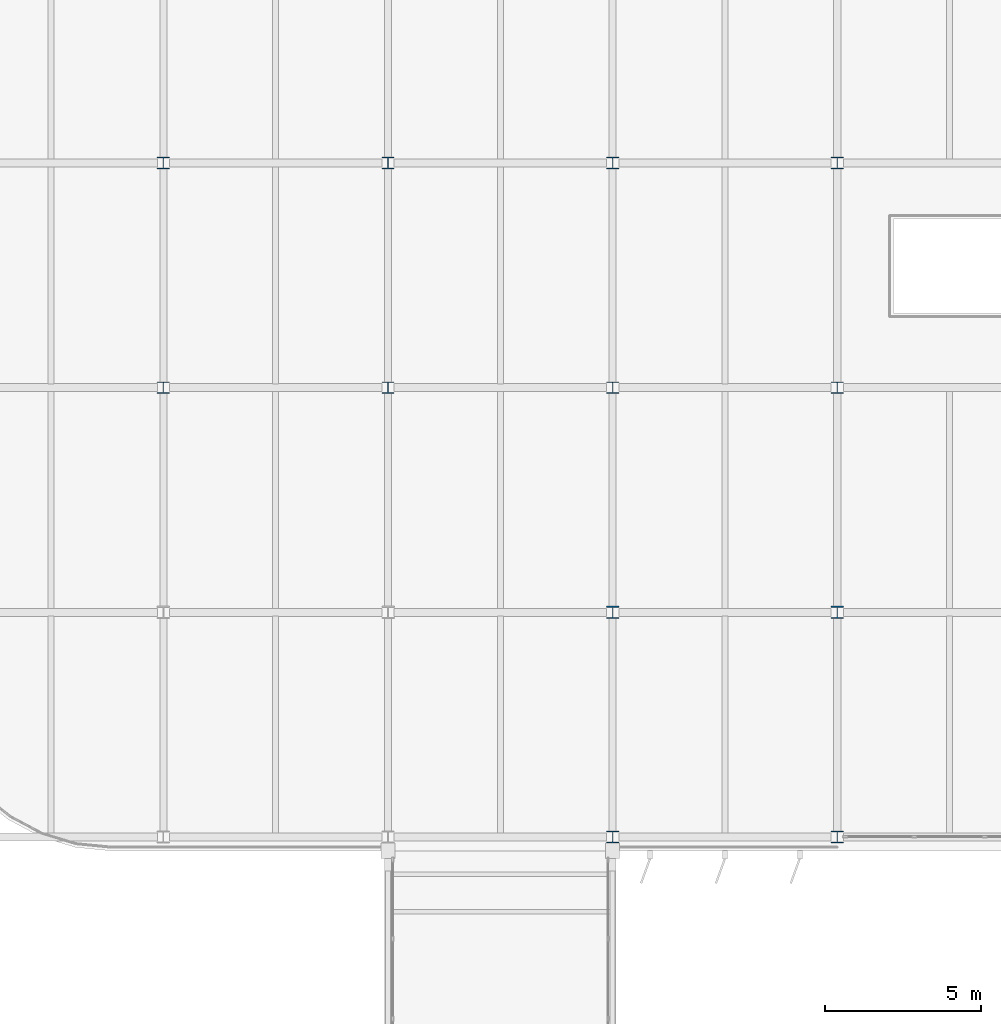
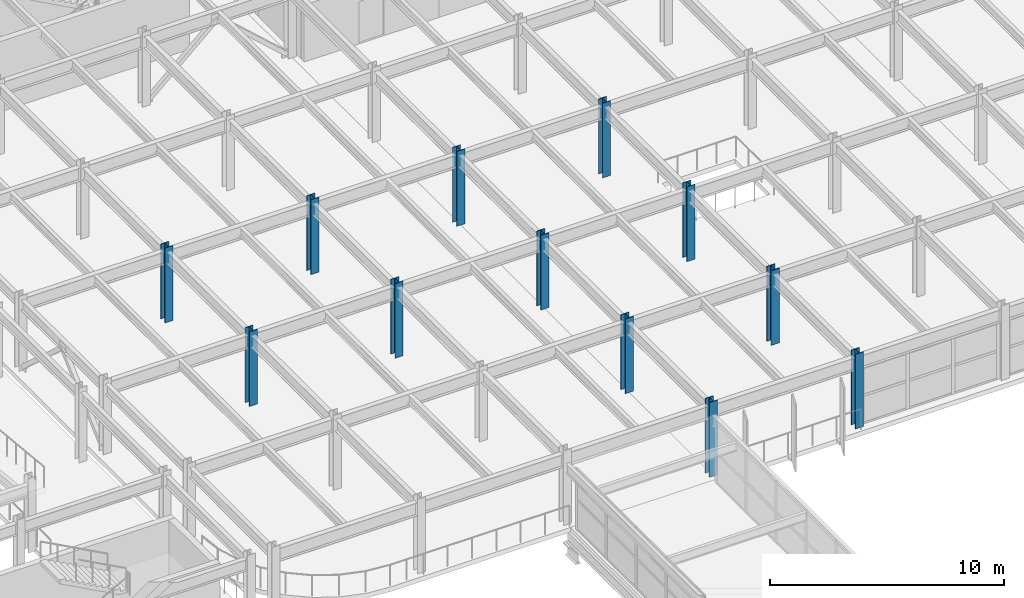
# One storey, part 3 of 93: 12 columns.
"""IFC4 building model written with IfcOpenShell, lengths in metres."""

import ifcopenshell
import ifcopenshell.guid

model = None  # the IFC model being written
_history = None  # IfcOwnerHistory: only IFC2X3 demands one
_inside = {}  # id of a spatial element -> (the spatial element, [elements in it])
_under = {}  # id of a project, library or spatial element -> (it, [spatial elements below it])
_declared = {}  # id of a project -> (the project, [libraries it declares])
_typed = {}  # id of a type object -> (the type object, [elements of that type])
_made_of = {}  # id of a material, layer set ... -> (it, [elements and type objects made of it])


def new_model(schema):
    """Start an empty IFC model of exactly this schema.

    Asked for "IFC4X3", IfcOpenShell would pick the latest addendum, in which some entities
    have other attributes; the version numbers below select the first issue.
    IFC2X3 requires an IfcOwnerHistory on every rooted entity: one is made here for all.
    """
    global model, _history
    if schema == "IFC4X3":
        model = ifcopenshell.file(schema_version=(4, 3, 0, 0))
    else:
        model = ifcopenshell.file(schema=schema)
    _inside.clear()
    _under.clear()
    _declared.clear()
    _typed.clear()
    _made_of.clear()
    _history = None
    if model.schema == "IFC2X3":
        org = make("IfcOrganization", Name="unknown")
        user = make(
            "IfcPersonAndOrganization",
            ThePerson=make("IfcPerson", FamilyName="unknown"),
            TheOrganization=org,
        )
        app = make(
            "IfcApplication",
            ApplicationDeveloper=org,
            Version="unknown",
            ApplicationFullName="unknown",
            ApplicationIdentifier="unknown",
        )
        _history = make(
            "IfcOwnerHistory",
            OwningUser=user,
            OwningApplication=app,
            ChangeAction="ADDED",
            CreationDate=0,
        )
    return model


def make(cls, **values):
    """One entity of the class cls with the attributes given. An attribute that is None is left unset."""
    return model.create_entity(
        cls, **{name: value for name, value in values.items() if value is not None}
    )


def rooted(cls, **values):
    """An entity with a GlobalId (a new one), such as an element, a storey or a relation."""
    return make(cls, GlobalId=ifcopenshell.guid.new(), OwnerHistory=_history, **values)


def si_unit(unit_type, name, prefix=None):
    """IfcSIUnit, for example si_unit("LENGTHUNIT", "METRE", prefix="MILLI")."""
    return make("IfcSIUnit", UnitType=unit_type, Prefix=prefix, Name=name)


def assignment(units):
    """IfcUnitAssignment: the units of a project."""
    return None if units is None else make("IfcUnitAssignment", Units=units)


def point(xyz):
    """IfcCartesianPoint."""
    return None if xyz is None else make("IfcCartesianPoint", Coordinates=xyz)


def direction(xyz):
    """IfcDirection."""
    return None if xyz is None else make("IfcDirection", DirectionRatios=xyz)


def frame(location, z_axis=None, x_axis=None):
    """IfcAxis2Placement3D, a coordinate frame: its origin and axes. An axis left out is left unset."""
    return make(
        "IfcAxis2Placement3D",
        Location=point(location),
        Axis=direction(z_axis),
        RefDirection=direction(x_axis),
    )


def frame_2d(location, x_axis=None):
    """IfcAxis2Placement2D, a coordinate frame in the plane: its origin and x axis."""
    return make(
        "IfcAxis2Placement2D", Location=point(location), RefDirection=direction(x_axis)
    )


def origin():
    """The frame at (0, 0, 0) with its axes left unset."""
    return frame((0.0, 0.0, 0.0))


def origin_2d():
    """The frame at (0, 0) in the plane with its x axis left unset."""
    return frame_2d((0.0, 0.0))


def place(relative_to, where):
    """IfcLocalPlacement: puts the frame where relative to a parent placement (None: the world)."""
    return make(
        "IfcLocalPlacement", PlacementRelTo=relative_to, RelativePlacement=where
    )


def context(
    kind, dimensions, precision=None, world=None, true_north=None, identifier=None
):
    """IfcGeometricRepresentationContext, for example the 3D "Model" context."""
    return make(
        "IfcGeometricRepresentationContext",
        ContextIdentifier=identifier,
        ContextType=kind,
        CoordinateSpaceDimension=dimensions,
        Precision=precision,
        WorldCoordinateSystem=world,
        TrueNorth=true_north,
    )


def subcontext(parent, identifier, kind, view, scale=None):
    """IfcGeometricRepresentationSubContext, for example "Body" below "Model"."""
    return make(
        "IfcGeometricRepresentationSubContext",
        ContextIdentifier=identifier,
        ContextType=kind,
        ParentContext=parent,
        TargetScale=scale,
        TargetView=view,
    )


def project(units=None, contexts=None):
    """IfcProject with its units and contexts."""
    return rooted(
        "IfcProject",
        Name="project",
        RepresentationContexts=contexts,
        UnitsInContext=assignment(units),
    )


def spatial(cls, under=None, at=None, **own):
    """A site, building, storey or space (cls), placed at a placement, below another one or the project."""
    s = rooted(cls, ObjectPlacement=at, **own)
    if under is not None:
        _under.setdefault(under.id(), (under, []))[1].append(s)
    return s


def profile(cls, at=None, kind="AREA", **sizes):
    """A parametric profile (cls). Its sizes go by their IFC names, for example OverallWidth=200.0."""
    return make(cls, ProfileType=kind, Position=at, **sizes)


def i_section(**sizes):
    """IfcIShapeProfileDef."""
    return profile("IfcIShapeProfileDef", **sizes)


def extrude(swept, where, along, depth):
    """IfcExtrudedAreaSolid: the profile swept, set in the frame where, extruded along a direction by depth."""
    return make(
        "IfcExtrudedAreaSolid",
        SweptArea=swept,
        Position=where,
        ExtrudedDirection=direction(along),
        Depth=depth,
    )


def shape(context_of_items, identifier, shape_type, items):
    """IfcShapeRepresentation: the items that make up one representation, for example the "Body"."""
    return make(
        "IfcShapeRepresentation",
        ContextOfItems=context_of_items,
        RepresentationIdentifier=identifier,
        RepresentationType=shape_type,
        Items=items,
    )


def material(Name=None, Category=None):
    """IfcMaterial."""
    return make("IfcMaterial", Name=Name, Category=Category)


def material_profile(
    of_material, cross_section, Name=None, Category=None, Priority=None
):
    """IfcMaterialProfile: a cross section and its material."""
    return make(
        "IfcMaterialProfile",
        Name=Name,
        Material=of_material,
        Profile=cross_section,
        Priority=Priority,
        Category=Category,
    )


def profile_set(profiles, Name=None, composite=None):
    """IfcMaterialProfileSet."""
    return make(
        "IfcMaterialProfileSet",
        Name=Name,
        MaterialProfiles=profiles,
        CompositeProfile=composite,
    )


def made_of(thing, what):
    """Note that an element or type object is made of a material, layer set ...; save() writes the relation."""
    if what is not None:
        _made_of.setdefault(what.id(), (what, []))[1].append(thing)
    return thing


def type_object(cls, material=None, **own):
    """A type object (cls), such as IfcWallType, which elements share."""
    return made_of(rooted(cls, **own), material)


def element(
    cls,
    number,
    at=None,
    inside=None,
    cuts=None,
    type_object=None,
    material=None,
    context=None,
    identifier="Body",
    shape_type=None,
    held_by="IfcProductDefinitionShape",
    body=None,
    shapes=None,
    **own,
):
    """One element of the class cls, such as IfcWall. Its Tag is "e" and its number.

    at: its placement. inside: the storey or other place that contains it. cuts: it is an
    opening in that element (IfcRelVoidsElement). A single representation is given by context,
    identifier, shape_type and body (its items); several are given by shapes. held_by: the class
    of the entity that holds the representations. save() writes the other relations.
    """
    e = rooted(cls, Tag="e%d" % number, ObjectPlacement=at, **own)
    if body is not None:
        shapes = [shape(context, identifier, shape_type, body)]
    if shapes is not None:
        e.Representation = make(held_by, Representations=shapes)
    if inside is not None:
        _inside.setdefault(inside.id(), (inside, []))[1].append(e)
    if cuts is not None:
        rooted(
            "IfcRelVoidsElement", RelatingBuildingElement=cuts, RelatedOpeningElement=e
        )
    if type_object is not None:
        _typed.setdefault(type_object.id(), (type_object, []))[1].append(e)
    return made_of(e, material)


def aggregate(whole, parts):
    """IfcRelAggregates: a whole, such as a stair, and the parts it consists of."""
    return rooted("IfcRelAggregates", RelatingObject=whole, RelatedObjects=parts)


def save(model, path):
    """Write the relations noted so far, then the file.

    IfcRelAggregates (storeys below a building ...), IfcRelContainedInSpatialStructure (elements
    in a storey), IfcRelDefinesByType, IfcRelAssociatesMaterial and IfcRelDeclares: one each for
    every whole, place, type object, material and project.
    """
    for whole, parts in _under.values():
        aggregate(whole, parts)
    for where, things in _inside.values():
        rooted(
            "IfcRelContainedInSpatialStructure",
            RelatedElements=things,
            RelatingStructure=where,
        )
    for kind, things in _typed.values():
        rooted("IfcRelDefinesByType", RelatedObjects=things, RelatingType=kind)
    for what, things in _made_of.values():
        rooted("IfcRelAssociatesMaterial", RelatedObjects=things, RelatingMaterial=what)
    for by, libraries in _declared.values():
        rooted("IfcRelDeclares", RelatingContext=by, RelatedDefinitions=libraries)
    model.write(path)


model = new_model("IFC4")

# Units and contexts
model_context = context("Model", 3, precision=1e-05, world=origin(), true_north=direction((0.0, 1.0)))
body_context = subcontext(model_context, "Body", "Model", "MODEL_VIEW")
ifc_project = project(units=[si_unit("LENGTHUNIT", "METRE"), si_unit("AREAUNIT", "SQUARE_METRE"), si_unit("VOLUMEUNIT", "CUBIC_METRE"), si_unit("PLANEANGLEUNIT", "RADIAN"), si_unit("MASSUNIT", "GRAM", prefix="KILO")], contexts=[model_context])

# Site, building, storey
site_placement = place(None, origin())
site = spatial("IfcSite", under=ifc_project, at=site_placement, CompositionType="ELEMENT")
building_placement = place(site_placement, origin())
building = spatial("IfcBuilding", under=site, at=building_placement, Name="Vaelcorin Mobility Hub", CompositionType="ELEMENT")
storey_placement = place(building_placement, frame((0.0, 0.0, 5.39990234375)))
storey = spatial("IfcBuildingStorey", under=building, at=storey_placement, Name="L01", CompositionType="ELEMENT", Elevation=5.39990234375)

# Columns
ifc_material = material(Name="Steel ASTM A992 Grade 50", Category="steel")
ifc_material_profile_1 = material_profile(ifc_material, i_section(OverallWidth=0.39599609375, OverallDepth=0.381103515625, WebThickness=0.018798828125, FlangeThickness=0.0302734375, FilletRadius=0.014892578125, at=origin_2d()), Name="W14X159")
ifc_profile_set_1 = profile_set([ifc_material_profile_1], Name="Steel ASTM A992 Grade 50")
column_type_1 = type_object("IfcColumnType", Name="COL-W14X159", PredefinedType="COLUMN", material=ifc_profile_set_1)
for number, where, z_axis, x_axis, name in (
    (1, (43.199951171875, 91.199951171875, 0.0), (0.0, 0.0, 1.0), (1.0, 0.0, 0.0), "Column V4-X02Y03 L01"),
    (2, (43.199951171875, 98.39990234375, 0.0), (0.0, 0.0, 1.0), (1.0, 0.0, 0.0), "Column V4-X02Y04 L01"),
    (3, (50.39990234375, 91.199951171875, 0.0), (0.0, 0.0, 1.0), (1.0, 0.0, 0.0), "Column V4-X03Y03 L01"),
    (4, (50.39990234375, 98.39990234375, 0.0), (0.0, 0.0, 1.0), (1.0, 0.0, 0.0), "Column V4-X03Y04 L01"),
    (5, (57.60009765625, 76.800048828125, 0.0), (0.0, 0.0, 1.0), (1.0, 0.0, 0.0), "Column V4-X04Y01 L01"),
    (6, (57.60009765625, 91.199951171875, 0.0), (0.0, 0.0, 1.0), (1.0, 0.0, 0.0), "Column V4-X04Y03 L01"),
    (7, (57.60009765625, 98.39990234375, 0.0), (0.0, 0.0, 1.0), (1.0, 0.0, 0.0), "Column V4-X04Y04 L01"),
    (8, (64.800048828125, 76.800048828125, 0.0), (0.0, 0.0, 1.0), (1.0, 0.0, 0.0), "Column V4-X05Y01 L01"),
    (9, (64.800048828125, 91.199951171875, 0.0), (0.0, 0.0, 1.0), (1.0, 0.0, 0.0), "Column V4-X05Y03 L01"),
    (10, (64.800048828125, 98.39990234375, 0.0), (0.0, 0.0, 1.0), (1.0, 0.0, 0.0), "Column V4-X05Y04 L01"),
):
    element("IfcColumn", number, at=place(storey_placement, frame(where, z_axis=z_axis, x_axis=x_axis)), inside=storey, type_object=column_type_1, Name=name, PredefinedType="COLUMN", context=body_context, shape_type="SweptSolid", body=[
        extrude(i_section(OverallWidth=0.39599609375, OverallDepth=0.381103515625, WebThickness=0.018798828125, FlangeThickness=0.0302734375, FilletRadius=0.014892578125, at=origin_2d()), origin(), (0.0, 0.0, 1.0), 3.900146484375),
    ])
ifc_material_profile_2 = material_profile(ifc_material, i_section(OverallWidth=0.39892578125, OverallDepth=0.39404296875, WebThickness=0.022705078125, FlangeThickness=0.03662109375, FilletRadius=0.014892578125, at=origin_2d()), Name="W14X193")
ifc_profile_set_2 = profile_set([ifc_material_profile_2], Name="Steel ASTM A992 Grade 50")
column_type_2 = type_object("IfcColumnType", Name="COL-W14X193", PredefinedType="COLUMN", material=ifc_profile_set_2)
for number, where, z_axis, x_axis, name in (
    (11, (57.60009765625, 84.0, 0.0), (0.0, 0.0, 1.0), (1.0, 0.0, 0.0), "Column V4-X04Y02 L01"),
    (12, (64.800048828125, 84.0, 0.0), (0.0, 0.0, 1.0), (1.0, 0.0, 0.0), "Column V4-X05Y02 L01"),
):
    element("IfcColumn", number, at=place(storey_placement, frame(where, z_axis=z_axis, x_axis=x_axis)), inside=storey, type_object=column_type_2, Name=name, PredefinedType="COLUMN", context=body_context, shape_type="SweptSolid", body=[
        extrude(i_section(OverallWidth=0.39892578125, OverallDepth=0.39404296875, WebThickness=0.022705078125, FlangeThickness=0.03662109375, FilletRadius=0.014892578125, at=origin_2d()), origin(), (0.0, 0.0, 1.0), 3.900146484375),
    ])

save(model, "model.ifc")
